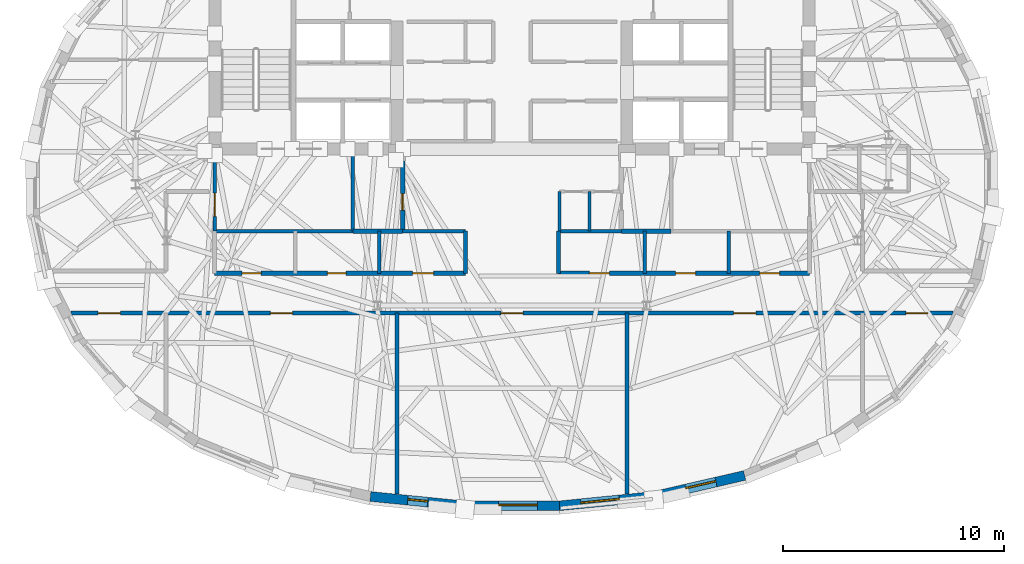
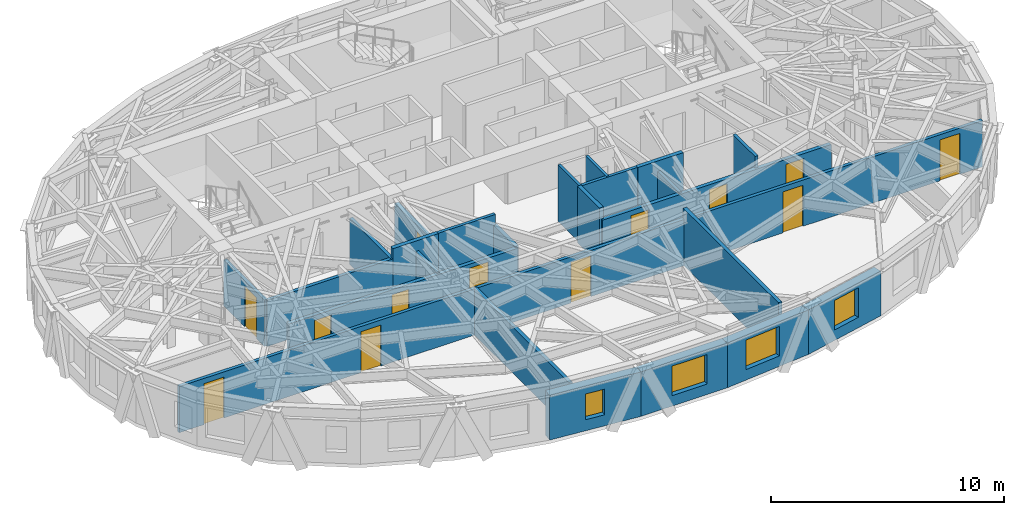
# One storey, part 6 of 13: 24 walls, 13 doors, 4 windows, 17 openings.
"""IFC4 building model written with IfcOpenShell, lengths in metres."""

from ifc_helpers import new_model, si_unit, direction, frame, frame_2d, origin, place, context, subcontext, project, spatial, rectangle, extrude, material, layer, layer_set, type_object, element, fill, save


model = new_model("IFC4")

# Units and contexts
model_context = context("Model", 3, precision=1e-05, world=origin(), true_north=direction((0.0, 1.0)))
body_context = subcontext(model_context, "Body", "Model", "MODEL_VIEW")
ifc_project = project(units=[si_unit("LENGTHUNIT", "METRE"), si_unit("AREAUNIT", "SQUARE_METRE"), si_unit("VOLUMEUNIT", "CUBIC_METRE"), si_unit("PLANEANGLEUNIT", "RADIAN"), si_unit("MASSUNIT", "GRAM", prefix="KILO")], contexts=[model_context])

# Site, building, storey
site_placement = place(None, origin())
site = spatial("IfcSite", under=ifc_project, at=site_placement, CompositionType="ELEMENT")
building_placement = place(site_placement, origin())
building = spatial("IfcBuilding", under=site, at=building_placement, Name="Keldmark Tower", CompositionType="ELEMENT")
storey_placement = place(building_placement, frame((0.0, 0.0, 241.5)))
storey = spatial("IfcBuildingStorey", under=building, at=storey_placement, Name="L68", CompositionType="ELEMENT", Elevation=241.5)

# Walls
ifc_material_1 = material(Name="STC-58 Insulated Tenant Demising Gypsum Partition", Category="gypsum")
ifc_layer_1 = layer(ifc_material_1, 0.175048828125)
ifc_layer_set_1 = layer_set([ifc_layer_1], Name="STC-58 Insulated Tenant Demising Gypsum Partition")
wall_type_1 = type_object("IfcWallType", Name="Demising Suite Partition 175 mm", PredefinedType="PARTITIONING", material=ifc_layer_set_1)
wall_1_placement = place(storey_placement, frame((-5.199951171875, -14.036376953125, 0.0), z_axis=(0.0, 0.0, 1.0), x_axis=(0.0, 1.0, 0.0)))
element("IfcWall", 1, at=wall_1_placement, inside=storey, type_object=wall_type_1, Name="L68 Demising Suite Partition 175 mm RS-ODIV-1", PredefinedType="PARTITIONING", context=body_context, shape_type="SweptSolid", body=[
    extrude(rectangle(XDim=8.186279296875, YDim=0.175048828125, at=frame_2d((4.09326171875, 0.0))), origin(), (0.0, 0.0, 1.0), 2.423095703125),
])
wall_2_placement = place(storey_placement, frame((5.199951171875, -14.036376953125, 0.0), z_axis=(0.0, 0.0, 1.0), x_axis=(0.0, 1.0, 0.0)))
element("IfcWall", 2, at=wall_2_placement, inside=storey, type_object=wall_type_1, Name="L68 Demising Suite Partition 175 mm RS-ODIV-2", PredefinedType="PARTITIONING", context=body_context, shape_type="SweptSolid", body=[
    extrude(rectangle(XDim=8.186279296875, YDim=0.175048828125, at=frame_2d((4.09326171875, 0.0))), origin(), (0.0, 0.0, 1.0), 2.969970703125),
])

# Wall, openings, doors
ifc_material_2 = material(Name="Heavy Acoustic Plumbing Chase Gypsum Assembly", Category="gypsum")
ifc_layer_2 = layer(ifc_material_2, 0.18994140625)
ifc_layer_set_2 = layer_set([ifc_layer_2], Name="Heavy Acoustic Plumbing Chase Gypsum Assembly")
wall_type_2 = type_object("IfcWallType", Name="Heavy Wet Wall 190 mm", PredefinedType="PLUMBINGWALL", material=ifc_layer_set_2)
wall_3_placement = place(storey_placement, frame((-13.449951171875, -4.050048828125, 0.0), z_axis=(0.0, 0.0, 1.0), x_axis=(1.0, 0.0, 0.0)))
wall_3 = element("IfcWall", 3, at=wall_3_placement, inside=storey, type_object=wall_type_2, Name="L68 Heavy Wet Wall 190 mm SPK-W-S", PredefinedType="PLUMBINGWALL", context=body_context, shape_type="SweptSolid", body=[
    extrude(rectangle(XDim=11.349853515625, YDim=0.18994140625, at=frame_2d((5.6748046875, 0.0))), origin(), (0.0, 0.0, 1.0), 2.35693359375),
])
opening_1_placement = place(wall_3_placement, frame((1.25, 0.0, 0.0)))
opening_1 = element("IfcOpeningElement", 4, at=opening_1_placement, cuts=wall_3, Name="Opening D-WC085", PredefinedType="OPENING", context=body_context, shape_type="SweptSolid", body=[
    extrude(rectangle(XDim=0.85009765625, YDim=2.10009765625, at=frame_2d((0.425048828125, 1.050048828125))), frame((0.0, 0.10498046875, 0.0), z_axis=(0.0, -1.0, 0.0), x_axis=(1.0, 0.0, 0.0)), (0.0, 0.0, 1.0), 0.2099609375),
])
opening_2_placement = place(wall_3_placement, frame((5.10009765625, 0.0, 0.0)))
opening_2 = element("IfcOpeningElement", 5, at=opening_2_placement, cuts=wall_3, Name="Opening D-WC085", PredefinedType="OPENING", context=body_context, shape_type="SweptSolid", body=[
    extrude(rectangle(XDim=0.85009765625, YDim=2.10009765625, at=frame_2d((0.425048828125, 1.050048828125))), frame((0.0, 0.10498046875, 0.0), z_axis=(0.0, -1.0, 0.0), x_axis=(1.0, 0.0, 0.0)), (0.0, 0.0, 1.0), 0.2099609375),
])
opening_3_placement = place(wall_3_placement, frame((8.949951171875, 0.0, 0.0)))
opening_3 = element("IfcOpeningElement", 6, at=opening_3_placement, cuts=wall_3, Name="Opening D-AWC95", PredefinedType="OPENING", context=body_context, shape_type="SweptSolid", body=[
    extrude(rectangle(XDim=0.949951171875, YDim=2.14990234375, at=frame_2d((0.47509765625, 1.074951171875))), frame((0.0, 0.10498046875, 0.0), z_axis=(0.0, -1.0, 0.0), x_axis=(1.0, 0.0, 0.0)), (0.0, 0.0, 1.0), 0.2099609375),
])
ifc_material_3 = material(Name="Painted Solid-Core Architectural Wood", Category="wood")
door_type_1 = type_object("IfcDoorType", Name="Accessible WC Door 950x2150", OperationType="NOTDEFINED", PredefinedType="DOOR", material=ifc_material_3)
door_1_placement = place(opening_3_placement, origin())
door_1 = element("IfcDoor", 7, at=door_1_placement, inside=storey, type_object=door_type_1, Name="L68 Accessible WC Door 950x2150 D-SPKW3-L68", OperationType="SINGLE_SWING_LEFT", OverallHeight=2.14990234375, OverallWidth=0.949951171875, PredefinedType="DOOR", context=body_context, shape_type="SweptSolid", body=[
    extrude(rectangle(XDim=0.949951171875, YDim=2.14990234375, at=frame_2d((0.47509765625, 1.074951171875))), frame((0.0, 0.02490234375, 0.0), z_axis=(0.0, -1.0, 0.0), x_axis=(1.0, 0.0, 0.0)), (0.0, 0.0, 1.0), 0.050048828125),
])
fill(opening_3, door_1)
ifc_material_4 = material(Name="Moisture-Sealed Painted Wood", Category="wood")
door_type_2 = type_object("IfcDoorType", Name="WC Door 850x2100", OperationType="NOTDEFINED", PredefinedType="DOOR", material=ifc_material_4)
door_2_placement = place(opening_1_placement, origin())
door_2 = element("IfcDoor", 8, at=door_2_placement, inside=storey, type_object=door_type_2, Name="L68 WC Door 850x2100 D-SPKW1-L68", OperationType="SINGLE_SWING_LEFT", OverallHeight=2.10009765625, OverallWidth=0.85009765625, PredefinedType="DOOR", context=body_context, shape_type="SweptSolid", body=[
    extrude(rectangle(XDim=0.85009765625, YDim=2.10009765625, at=frame_2d((0.425048828125, 1.050048828125))), frame((0.0, 0.02490234375, 0.0), z_axis=(0.0, -1.0, 0.0), x_axis=(1.0, 0.0, 0.0)), (0.0, 0.0, 1.0), 0.050048828125),
])
fill(opening_1, door_2)
door_3_placement = place(opening_2_placement, origin())
door_3 = element("IfcDoor", 9, at=door_3_placement, inside=storey, type_object=door_type_2, Name="L68 WC Door 850x2100 D-SPKW2-L68", OperationType="SINGLE_SWING_RIGHT", OverallHeight=2.10009765625, OverallWidth=0.85009765625, PredefinedType="DOOR", context=body_context, shape_type="SweptSolid", body=[
    extrude(rectangle(XDim=0.85009765625, YDim=2.10009765625, at=frame_2d((0.425048828125, 1.050048828125))), frame((0.0, 0.02490234375, 0.0), z_axis=(0.0, -1.0, 0.0), x_axis=(1.0, 0.0, 0.0)), (0.0, 0.0, 1.0), 0.050048828125),
])
fill(opening_2, door_3)

# Wall
wall_4_placement = place(storey_placement, frame((-2.10009765625, -4.050048828125, 0.0), z_axis=(0.0, 0.0, 1.0), x_axis=(0.0, 1.0, 0.0)))
element("IfcWall", 10, at=wall_4_placement, inside=storey, type_object=wall_type_2, Name="L68 Heavy Wet Wall 190 mm SPK-W-E", PredefinedType="PLUMBINGWALL", context=body_context, shape_type="SweptSolid", body=[
    extrude(rectangle(XDim=1.900146484375, YDim=0.18994140625, at=frame_2d((0.9501953125, 0.0))), origin(), (0.0, 0.0, 1.0), 2.423095703125),
])

# Wall, openings, doors
wall_5_placement = place(storey_placement, frame((2.10009765625, -4.050048828125, 0.0), z_axis=(0.0, 0.0, 1.0), x_axis=(1.0, 0.0, 0.0)))
wall_5 = element("IfcWall", 11, at=wall_5_placement, inside=storey, type_object=wall_type_2, Name="L68 Heavy Wet Wall 190 mm SPK-E-S", PredefinedType="PLUMBINGWALL", context=body_context, shape_type="SweptSolid", body=[
    extrude(rectangle(XDim=11.349853515625, YDim=0.18994140625, at=frame_2d((5.6748046875, 0.0))), origin(), (0.0, 0.0, 1.0), 2.35693359375),
])
opening_4_placement = place(wall_5_placement, frame((1.39990234375, 0.0, 0.0)))
opening_4 = element("IfcOpeningElement", 12, at=opening_4_placement, cuts=wall_5, Name="Opening D-IN090", PredefinedType="OPENING", context=body_context, shape_type="SweptSolid", body=[
    extrude(rectangle(XDim=0.89990234375, YDim=2.10009765625, at=frame_2d((0.449951171875, 1.050048828125))), frame((0.0, 0.10498046875, 0.0), z_axis=(0.0, -1.0, 0.0), x_axis=(1.0, 0.0, 0.0)), (0.0, 0.0, 1.0), 0.2099609375),
])
opening_5_placement = place(wall_5_placement, frame((5.300048828125, 0.0, 0.0)))
opening_5 = element("IfcOpeningElement", 13, at=opening_5_placement, cuts=wall_5, Name="Opening D-IN090", PredefinedType="OPENING", context=body_context, shape_type="SweptSolid", body=[
    extrude(rectangle(XDim=0.89990234375, YDim=2.10009765625, at=frame_2d((0.449951171875, 1.050048828125))), frame((0.0, 0.10498046875, 0.0), z_axis=(0.0, -1.0, 0.0), x_axis=(1.0, 0.0, 0.0)), (0.0, 0.0, 1.0), 0.2099609375),
])
opening_6_placement = place(wall_5_placement, frame((9.10009765625, 0.0, 0.0)))
opening_6 = element("IfcOpeningElement", 14, at=opening_6_placement, cuts=wall_5, Name="Opening D-IN090", PredefinedType="OPENING", context=body_context, shape_type="SweptSolid", body=[
    extrude(rectangle(XDim=0.89990234375, YDim=2.10009765625, at=frame_2d((0.449951171875, 1.050048828125))), frame((0.0, 0.10498046875, 0.0), z_axis=(0.0, -1.0, 0.0), x_axis=(1.0, 0.0, 0.0)), (0.0, 0.0, 1.0), 0.2099609375),
])
ifc_material_5 = material(Name="Stained American White Oak Veneer", Category="wood")
door_type_3 = type_object("IfcDoorType", Name="Interior Door 900x2100", OperationType="NOTDEFINED", PredefinedType="DOOR", material=ifc_material_5)
door_4_placement = place(opening_4_placement, origin())
door_4 = element("IfcDoor", 15, at=door_4_placement, inside=storey, type_object=door_type_3, Name="L68 Interior Door 900x2100 D-SPKE1-L68", OperationType="SINGLE_SWING_RIGHT", OverallHeight=2.10009765625, OverallWidth=0.89990234375, PredefinedType="DOOR", context=body_context, shape_type="SweptSolid", body=[
    extrude(rectangle(XDim=0.89990234375, YDim=2.10009765625, at=frame_2d((0.449951171875, 1.050048828125))), frame((0.0, 0.02490234375, 0.0), z_axis=(0.0, -1.0, 0.0), x_axis=(1.0, 0.0, 0.0)), (0.0, 0.0, 1.0), 0.050048828125),
])
fill(opening_4, door_4)
door_5_placement = place(opening_5_placement, origin())
door_5 = element("IfcDoor", 16, at=door_5_placement, inside=storey, type_object=door_type_3, Name="L68 Interior Door 900x2100 D-SPKE2-L68", OperationType="SINGLE_SWING_LEFT", OverallHeight=2.10009765625, OverallWidth=0.89990234375, PredefinedType="DOOR", context=body_context, shape_type="SweptSolid", body=[
    extrude(rectangle(XDim=0.89990234375, YDim=2.10009765625, at=frame_2d((0.449951171875, 1.050048828125))), frame((0.0, 0.02490234375, 0.0), z_axis=(0.0, -1.0, 0.0), x_axis=(1.0, 0.0, 0.0)), (0.0, 0.0, 1.0), 0.050048828125),
])
fill(opening_5, door_5)
door_6_placement = place(opening_6_placement, origin())
door_6 = element("IfcDoor", 17, at=door_6_placement, inside=storey, type_object=door_type_3, Name="L68 Interior Door 900x2100 D-SPKE3-L68", OperationType="SINGLE_SWING_RIGHT", OverallHeight=2.10009765625, OverallWidth=0.89990234375, PredefinedType="DOOR", context=body_context, shape_type="SweptSolid", body=[
    extrude(rectangle(XDim=0.89990234375, YDim=2.10009765625, at=frame_2d((0.449951171875, 1.050048828125))), frame((0.0, 0.02490234375, 0.0), z_axis=(0.0, -1.0, 0.0), x_axis=(1.0, 0.0, 0.0)), (0.0, 0.0, 1.0), 0.050048828125),
])
fill(opening_6, door_6)

# Walls
wall_6_placement = place(storey_placement, frame((2.10009765625, -4.050048828125, 0.0), z_axis=(0.0, 0.0, 1.0), x_axis=(0.0, 1.0, 0.0)))
element("IfcWall", 18, at=wall_6_placement, inside=storey, type_object=wall_type_2, Name="L68 Heavy Wet Wall 190 mm SPK-E-W", PredefinedType="PLUMBINGWALL", context=body_context, shape_type="SweptSolid", body=[
    extrude(rectangle(XDim=1.900146484375, YDim=0.18994140625, at=frame_2d((0.9501953125, 0.0))), origin(), (0.0, 0.0, 1.0), 2.969970703125),
])
ifc_material_6 = material(Name="Acoustic Gypsum Board Interior Partition", Category="gypsum")
ifc_layer_3 = layer(ifc_material_6, 0.1298828125)
ifc_layer_set_3 = layer_set([ifc_layer_3], Name="Acoustic Gypsum Board Interior Partition")
wall_type_3 = type_object("IfcWallType", Name="Interior Partition 130 mm", PredefinedType="PARTITIONING", material=ifc_layer_set_3)
for number, where, z_axis, x_axis, name in (
    (19, (2.14990234375, -2.14990234375, 0.0), (0.0, 0.0, 1.0), (0.0, 1.0, 0.0), "L68 Interior Partition 130 mm CSC-E-W"),
    (20, (3.5, -2.14990234375, 0.0), (0.0, 0.0, 1.0), (0.0, 1.0, 0.0), "L68 Interior Partition 130 mm CSC-E-M"),
):
    element("IfcWall", number, at=place(storey_placement, frame(where, z_axis=z_axis, x_axis=x_axis)), inside=storey, type_object=wall_type_3, Name=name, PredefinedType="PARTITIONING", context=body_context, shape_type="SweptSolid", body=[
        extrude(rectangle(XDim=1.7998046875, YDim=0.1298828125, at=frame_2d((0.89990234375, 0.0))), origin(), (0.0, 0.0, 1.0), 2.969970703125),
    ])
ifc_material_7 = material(Name="Type X Fire-Rated Gypsum Partition Assembly", Category="gypsum")
ifc_layer_4 = layer(ifc_material_7, 0.1650390625)
ifc_layer_set_4 = layer_set([ifc_layer_4], Name="Type X Fire-Rated Gypsum Partition Assembly")
wall_type_4 = type_object("IfcWallType", Name="Rated Partition 165 mm", PredefinedType="PARTITIONING", material=ifc_layer_set_4)
wall_7_placement = place(storey_placement, frame((-13.449951171875, -2.14990234375, 0.0), z_axis=(0.0, 0.0, 1.0), x_axis=(1.0, 0.0, 0.0)))
element("IfcWall", 21, at=wall_7_placement, inside=storey, type_object=wall_type_4, Name="L68 Rated Partition 165 mm FSAE-W-S", PredefinedType="PARTITIONING", context=body_context, shape_type="SweptSolid", body=[
    extrude(rectangle(XDim=6.25, YDim=0.1650390625, at=frame_2d((3.125, 0.0))), origin(), (0.0, 0.0, 1.0), 2.423095703125),
])

# Wall, opening, door
wall_8_placement = place(storey_placement, frame((-13.449951171875, -2.14990234375, 0.0), z_axis=(0.0, 0.0, 1.0), x_axis=(0.0, 1.0, 0.0)))
wall_8 = element("IfcWall", 22, at=wall_8_placement, inside=storey, type_object=wall_type_4, Name="L68 Rated Partition 165 mm FSAE-W-W", PredefinedType="PARTITIONING", context=body_context, shape_type="SweptSolid", body=[
    extrude(rectangle(XDim=3.5, YDim=0.1650390625, at=frame_2d((1.75, 0.0))), origin(), (0.0, 0.0, 1.0), 2.423095703125),
])
opening_7_placement = place(wall_8_placement, frame((0.669921875, 0.0, 0.0)))
opening_7 = element("IfcOpeningElement", 23, at=opening_7_placement, cuts=wall_8, Name="Opening D-FL105", PredefinedType="OPENING", context=body_context, shape_type="SweptSolid", body=[
    extrude(rectangle(XDim=1.050048828125, YDim=2.14990234375, at=frame_2d((0.52490234375, 1.074951171875))), frame((0.0, 0.092529296875, 0.0), z_axis=(0.0, -1.0, 0.0), x_axis=(1.0, 0.0, 0.0)), (0.0, 0.0, 1.0), 0.18505859375),
])
ifc_material_8 = material(Name="Fire-Rated Mineral-Core Door and Vision Lite", Category="metal")
door_type_4 = type_object("IfcDoorType", Name="Fire Lobby Door 1050x2150", OperationType="NOTDEFINED", PredefinedType="DOOR", material=ifc_material_8)
door_7_placement = place(opening_7_placement, origin())
door_7 = element("IfcDoor", 24, at=door_7_placement, inside=storey, type_object=door_type_4, Name="L68 Fire Lobby Door 1050x2150 D-FSAEW-OUT-L68", OperationType="SINGLE_SWING_RIGHT", OverallHeight=2.14990234375, OverallWidth=1.050048828125, PredefinedType="DOOR", context=body_context, shape_type="SweptSolid", body=[
    extrude(rectangle(XDim=1.050048828125, YDim=2.14990234375, at=frame_2d((0.52490234375, 1.074951171875))), frame((0.0, 0.02490234375, 0.0), z_axis=(0.0, -1.0, 0.0), x_axis=(1.0, 0.0, 0.0)), (0.0, 0.0, 1.0), 0.050048828125),
])
fill(opening_7, door_7)

# Wall
wall_9_placement = place(storey_placement, frame((-7.199951171875, -2.14990234375, 0.0), z_axis=(0.0, 0.0, 1.0), x_axis=(0.0, 1.0, 0.0)))
element("IfcWall", 25, at=wall_9_placement, inside=storey, type_object=wall_type_4, Name="L68 Rated Partition 165 mm FSAE-W-E", PredefinedType="PARTITIONING", context=body_context, shape_type="SweptSolid", body=[
    extrude(rectangle(XDim=3.5, YDim=0.1650390625, at=frame_2d((1.75, 0.0))), origin(), (0.0, 0.0, 1.0), 2.423095703125),
])

# Wall, openings, doors
wall_10_placement = place(storey_placement, frame((-19.9345703125, -5.85009765625, 0.0), z_axis=(0.0, 0.0, 1.0), x_axis=(1.0, 0.0, 0.0)))
wall_10 = element("IfcWall", 26, at=wall_10_placement, inside=storey, type_object=wall_type_4, Name="L68 Rated Partition 165 mm RCOR-S", PredefinedType="PARTITIONING", context=body_context, shape_type="SweptSolid", body=[
    extrude(rectangle(XDim=39.869140625, YDim=0.1650390625, at=frame_2d((19.9345703125, 0.0))), origin(), (0.0, 0.0, 1.0), 2.423095703125),
])
opening_8_placement = place(wall_10_placement, frame((1.220947265625, 0.0, 0.0)))
opening_8 = element("IfcOpeningElement", 27, at=opening_8_placement, cuts=wall_10, Name="Opening D-FD100", PredefinedType="OPENING", context=body_context, shape_type="SweptSolid", body=[
    extrude(rectangle(XDim=1.0, YDim=2.14990234375, at=frame_2d((0.5, 1.074951171875))), frame((0.0, 0.092529296875, 0.0), z_axis=(0.0, -1.0, 0.0), x_axis=(1.0, 0.0, 0.0)), (0.0, 0.0, 1.0), 0.18505859375),
])
opening_9_placement = place(wall_10_placement, frame((37.747802734375, 0.0, 0.0)))
opening_9 = element("IfcOpeningElement", 28, at=opening_9_placement, cuts=wall_10, Name="Opening D-FD100", PredefinedType="OPENING", context=body_context, shape_type="SweptSolid", body=[
    extrude(rectangle(XDim=1.0, YDim=2.14990234375, at=frame_2d((0.5, 1.074951171875))), frame((0.0, 0.092529296875, 0.0), z_axis=(0.0, -1.0, 0.0), x_axis=(1.0, 0.0, 0.0)), (0.0, 0.0, 1.0), 0.18505859375),
])
opening_10_placement = place(wall_10_placement, frame((9.010009765625, 0.0, 0.0)))
opening_10 = element("IfcOpeningElement", 29, at=opening_10_placement, cuts=wall_10, Name="Opening D-FD100", PredefinedType="OPENING", context=body_context, shape_type="SweptSolid", body=[
    extrude(rectangle(XDim=1.0, YDim=2.14990234375, at=frame_2d((0.5, 1.074951171875))), frame((0.0, 0.092529296875, 0.0), z_axis=(0.0, -1.0, 0.0), x_axis=(1.0, 0.0, 0.0)), (0.0, 0.0, 1.0), 0.18505859375),
])
opening_11_placement = place(wall_10_placement, frame((19.434814453125, 0.0, 0.0)))
opening_11 = element("IfcOpeningElement", 30, at=opening_11_placement, cuts=wall_10, Name="Opening D-FD100", PredefinedType="OPENING", context=body_context, shape_type="SweptSolid", body=[
    extrude(rectangle(XDim=1.0, YDim=2.14990234375, at=frame_2d((0.5, 1.074951171875))), frame((0.0, 0.092529296875, 0.0), z_axis=(0.0, -1.0, 0.0), x_axis=(1.0, 0.0, 0.0)), (0.0, 0.0, 1.0), 0.18505859375),
])
opening_12_placement = place(wall_10_placement, frame((29.9599609375, 0.0, 0.0)))
opening_12 = element("IfcOpeningElement", 31, at=opening_12_placement, cuts=wall_10, Name="Opening D-FD100", PredefinedType="OPENING", context=body_context, shape_type="SweptSolid", body=[
    extrude(rectangle(XDim=1.0, YDim=2.14990234375, at=frame_2d((0.5, 1.074951171875))), frame((0.0, 0.092529296875, 0.0), z_axis=(0.0, -1.0, 0.0), x_axis=(1.0, 0.0, 0.0)), (0.0, 0.0, 1.0), 0.18505859375),
])
ifc_material_9 = material(Name="Hollow Metal Fire-Rated Corridor Door", Category="metal")
door_type_5 = type_object("IfcDoorType", Name="Fire Door 1000x2150", OperationType="NOTDEFINED", PredefinedType="DOOR", material=ifc_material_9)
door_8_placement = place(opening_8_placement, origin())
door_8 = element("IfcDoor", 32, at=door_8_placement, inside=storey, type_object=door_type_5, Name="L68 Fire Door 1000x2150 D-RSCW-L68", OperationType="SINGLE_SWING_LEFT", OverallHeight=2.14990234375, OverallWidth=1.0, PredefinedType="DOOR", context=body_context, shape_type="SweptSolid", body=[
    extrude(rectangle(XDim=1.0, YDim=2.14990234375, at=frame_2d((0.5, 1.074951171875))), frame((0.0, 0.02490234375, 0.0), z_axis=(0.0, -1.0, 0.0), x_axis=(1.0, 0.0, 0.0)), (0.0, 0.0, 1.0), 0.050048828125),
])
fill(opening_8, door_8)
door_9_placement = place(opening_9_placement, origin())
door_9 = element("IfcDoor", 33, at=door_9_placement, inside=storey, type_object=door_type_5, Name="L68 Fire Door 1000x2150 D-RSCE-L68", OperationType="SINGLE_SWING_LEFT", OverallHeight=2.14990234375, OverallWidth=1.0, PredefinedType="DOOR", context=body_context, shape_type="SweptSolid", body=[
    extrude(rectangle(XDim=1.0, YDim=2.14990234375, at=frame_2d((0.5, 1.074951171875))), frame((0.0, 0.02490234375, 0.0), z_axis=(0.0, -1.0, 0.0), x_axis=(1.0, 0.0, 0.0)), (0.0, 0.0, 1.0), 0.050048828125),
])
fill(opening_9, door_9)
door_10_placement = place(opening_10_placement, origin())
door_10 = element("IfcDoor", 34, at=door_10_placement, inside=storey, type_object=door_type_5, Name="L68 Fire Door 1000x2150 D-RSOF-1-L68", OperationType="SINGLE_SWING_RIGHT", OverallHeight=2.14990234375, OverallWidth=1.0, PredefinedType="DOOR", context=body_context, shape_type="SweptSolid", body=[
    extrude(rectangle(XDim=1.0, YDim=2.14990234375, at=frame_2d((0.5, 1.074951171875))), frame((0.0, 0.02490234375, 0.0), z_axis=(0.0, -1.0, 0.0), x_axis=(1.0, 0.0, 0.0)), (0.0, 0.0, 1.0), 0.050048828125),
])
fill(opening_10, door_10)
door_11_placement = place(opening_11_placement, origin())
door_11 = element("IfcDoor", 35, at=door_11_placement, inside=storey, type_object=door_type_5, Name="L68 Fire Door 1000x2150 D-RSOF-2-L68", OperationType="SINGLE_SWING_LEFT", OverallHeight=2.14990234375, OverallWidth=1.0, PredefinedType="DOOR", context=body_context, shape_type="SweptSolid", body=[
    extrude(rectangle(XDim=1.0, YDim=2.14990234375, at=frame_2d((0.5, 1.074951171875))), frame((0.0, 0.02490234375, 0.0), z_axis=(0.0, -1.0, 0.0), x_axis=(1.0, 0.0, 0.0)), (0.0, 0.0, 1.0), 0.050048828125),
])
fill(opening_11, door_11)
door_12_placement = place(opening_12_placement, origin())
door_12 = element("IfcDoor", 36, at=door_12_placement, inside=storey, type_object=door_type_5, Name="L68 Fire Door 1000x2150 D-RSOF-3-L68", OperationType="SINGLE_SWING_RIGHT", OverallHeight=2.14990234375, OverallWidth=1.0, PredefinedType="DOOR", context=body_context, shape_type="SweptSolid", body=[
    extrude(rectangle(XDim=1.0, YDim=2.14990234375, at=frame_2d((0.5, 1.074951171875))), frame((0.0, 0.02490234375, 0.0), z_axis=(0.0, -1.0, 0.0), x_axis=(1.0, 0.0, 0.0)), (0.0, 0.0, 1.0), 0.050048828125),
])
fill(opening_12, door_12)

# Wall
ifc_material_10 = material(Name="Fire-Resistant Type X Gypsum Shaftliner Coreboard", Category="gypsum")
ifc_layer_5 = layer(ifc_material_10, 0.199951171875)
ifc_layer_set_5 = layer_set([ifc_layer_5], Name="Fire-Resistant Type X Gypsum Shaftliner Coreboard")
wall_type_5 = type_object("IfcWallType", Name="Shaft Wall 200 mm", PredefinedType="SOLIDWALL", material=ifc_layer_set_5)
wall_11_placement = place(storey_placement, frame((-7.199951171875, -2.14990234375, 0.0), z_axis=(0.0, 0.0, 1.0), x_axis=(1.0, 0.0, 0.0)))
element("IfcWall", 37, at=wall_11_placement, inside=storey, type_object=wall_type_5, Name="L68 Shaft Wall 200 mm RIS-SW-S", PredefinedType="SOLIDWALL", context=body_context, shape_type="SweptSolid", body=[
    extrude(rectangle(XDim=2.25, YDim=0.199951171875, at=frame_2d((1.125, 0.0))), origin(), (0.0, 0.0, 1.0), 2.969970703125),
])

# Wall, opening, door
wall_12_placement = place(storey_placement, frame((-4.949951171875, -2.14990234375, 0.0), z_axis=(0.0, 0.0, 1.0), x_axis=(0.0, 1.0, 0.0)))
wall_12 = element("IfcWall", 38, at=wall_12_placement, inside=storey, type_object=wall_type_5, Name="L68 Shaft Wall 200 mm RIS-SW-E", PredefinedType="SOLIDWALL", context=body_context, shape_type="SweptSolid", body=[
    extrude(rectangle(XDim=3.5, YDim=0.199951171875, at=frame_2d((1.75, 0.0))), origin(), (0.0, 0.0, 1.0), 2.423095703125),
])
opening_13_placement = place(wall_12_placement, frame((0.949951171875, 0.0, 0.0)))
opening_13 = element("IfcOpeningElement", 39, at=opening_13_placement, cuts=wall_12, Name="Opening D-RS075", PredefinedType="OPENING", context=body_context, shape_type="SweptSolid", body=[
    extrude(rectangle(XDim=0.75, YDim=2.10009765625, at=frame_2d((0.375, 1.050048828125))), frame((0.0, 0.10986328125, 0.0), z_axis=(0.0, -1.0, 0.0), x_axis=(1.0, 0.0, 0.0)), (0.0, 0.0, 1.0), 0.219970703125),
])
ifc_material_11 = material(Name="Galvanized Fire-Rated Access Leaf", Category="metal")
door_type_6 = type_object("IfcDoorType", Name="Riser Access Door 750x2100", OperationType="NOTDEFINED", PredefinedType="DOOR", material=ifc_material_11)
door_13_placement = place(opening_13_placement, origin())
door_13 = element("IfcDoor", 40, at=door_13_placement, inside=storey, type_object=door_type_6, Name="L68 Riser Access Door 750x2100 D-RISSW-L68", OperationType="SINGLE_SWING_RIGHT", OverallHeight=2.10009765625, OverallWidth=0.75, PredefinedType="DOOR", context=body_context, shape_type="SweptSolid", body=[
    extrude(rectangle(XDim=0.75, YDim=2.10009765625, at=frame_2d((0.375, 1.050048828125))), frame((0.0, 0.02490234375, 0.0), z_axis=(0.0, -1.0, 0.0), x_axis=(1.0, 0.0, 0.0)), (0.0, 0.0, 1.0), 0.050048828125),
])
fill(opening_13, door_13)

# Wall
wall_13_placement = place(storey_placement, frame((4.949951171875, -2.14990234375, 0.0), z_axis=(0.0, 0.0, 1.0), x_axis=(1.0, 0.0, 0.0)))
element("IfcWall", 41, at=wall_13_placement, inside=storey, type_object=wall_type_5, Name="L68 Shaft Wall 200 mm RIS-SE-S", PredefinedType="SOLIDWALL", context=body_context, shape_type="SweptSolid", body=[
    extrude(rectangle(XDim=2.25, YDim=0.199951171875, at=frame_2d((1.125, 0.0))), origin(), (0.0, 0.0, 1.0), 2.969970703125),
])

# Wall, opening, window
ifc_material_12 = material(Name="Ironspot Manganese Brick and Kasota Buff Limestone Spandrel Assembly", Category="masonry")
ifc_layer_6 = layer(ifc_material_12, 0.43994140625)
ifc_layer_set_6 = layer_set([ifc_layer_6], Name="Ironspot Manganese Brick and Kasota Buff Limestone Spandrel Assembly")
wall_type_6 = type_object("IfcWallType", Name="Tower Brick Pier and Spandrel Wall 440 mm", PredefinedType="STANDARD", material=ifc_layer_set_6)
wall_14_placement = place(storey_placement, frame((-2.126220703125, -14.56982421875, 0.0), z_axis=(0.0, 0.0, 1.0), x_axis=(-0.995134540264, 0.098525361068, 0.0)))
wall_14 = element("IfcWall", 42, at=wall_14_placement, inside=storey, type_object=wall_type_6, Name="L68 Exterior Brick and Spandrel Wall 23", PredefinedType="STANDARD", context=body_context, shape_type="SweptSolid", body=[
    extrude(rectangle(XDim=4.29931640625, YDim=0.43994140625, at=frame_2d((2.149658203125, 0.0))), origin(), (0.0, 0.0, 1.0), 2.3359375),
])
opening_14_placement = place(wall_14_placement, frame((1.69970703125, 0.0, 0.580078125)))
opening_14 = element("IfcOpeningElement", 43, at=opening_14_placement, cuts=wall_14, Name="Opening W-09", PredefinedType="OPENING", context=body_context, shape_type="SweptSolid", body=[
    extrude(rectangle(XDim=0.89990234375, YDim=1.35009765625, at=frame_2d((0.449951171875, 0.675048828125))), frame((0.0, 0.22998046875, 0.0), z_axis=(0.0, -1.0, 0.0), x_axis=(1.0, 0.0, 0.0)), (0.0, 0.0, 1.0), 0.4599609375),
])
ifc_material_13 = material(Name="Thermally Broken Anodized Aluminum and Triple Low-E Argon Glazing", Category="aluminium")
window_type_1 = type_object("IfcWindowType", Name="Corner Pier Deep-Set Window 900x1350", PartitioningType="SINGLE_PANEL", PredefinedType="WINDOW", material=ifc_material_13)
window_1_placement = place(opening_14_placement, origin())
window_1 = element("IfcWindow", 44, at=window_1_placement, inside=storey, type_object=window_type_1, Name="L68 Deep-Set Window 23", OverallHeight=1.35009765625, OverallWidth=0.89990234375, PartitioningType="SINGLE_PANEL", PredefinedType="WINDOW", context=body_context, shape_type="SweptSolid", body=[
    extrude(rectangle(XDim=0.89990234375, YDim=1.35009765625, at=frame_2d((0.449951171875, 0.675048828125))), frame((0.0, -0.010009765625, 0.0), z_axis=(0.0, -1.0, 0.0), x_axis=(1.0, 0.0, 0.0)), (0.0, 0.0, 1.0), 0.06005859375),
])
fill(opening_14, window_1)

wall_15_placement = place(storey_placement, frame((2.14794921875, -14.56884765625, 0.0), z_axis=(0.0, 0.0, 1.0), x_axis=(-1.0, 0.0, 0.0)))
wall_15 = element("IfcWall", 45, at=wall_15_placement, inside=storey, type_object=wall_type_6, Name="L68 Exterior Brick and Spandrel Wall 24", PredefinedType="STANDARD", context=body_context, shape_type="SweptSolid", body=[
    extrude(rectangle(XDim=4.2958984375, YDim=0.43994140625, at=frame_2d((2.14794921875, 0.0))), origin(), (0.0, 0.0, 1.0), 2.3359375),
])
opening_15_placement = place(wall_15_placement, frame((0.99853515625, 0.0, 0.550048828125)))
opening_15 = element("IfcOpeningElement", 46, at=opening_15_placement, cuts=wall_15, Name="Opening W-05", PredefinedType="OPENING", context=body_context, shape_type="SweptSolid", body=[
    extrude(rectangle(XDim=1.75, YDim=1.550048828125, at=frame_2d((0.875, 0.77490234375))), frame((0.0, 0.22998046875, 0.0), z_axis=(0.0, -1.0, 0.0), x_axis=(1.0, 0.0, 0.0)), (0.0, 0.0, 1.0), 0.4599609375),
])
ifc_material_14 = material(Name="Thermally Broken Anodized Aluminum and Triple Low-E Argon Glazing", Category="aluminium")
window_type_2 = type_object("IfcWindowType", Name="Residential Deep-Set Window 1750x1550", PartitioningType="DOUBLE_PANEL_VERTICAL", PredefinedType="WINDOW", material=ifc_material_14)
window_2_placement = place(opening_15_placement, origin())
window_2 = element("IfcWindow", 47, at=window_2_placement, inside=storey, type_object=window_type_2, Name="L68 Deep-Set Window 24", OverallHeight=1.550048828125, OverallWidth=1.75, PartitioningType="SINGLE_PANEL", PredefinedType="WINDOW", context=body_context, shape_type="SweptSolid", body=[
    extrude(rectangle(XDim=1.75, YDim=1.550048828125, at=frame_2d((0.875, 0.77490234375))), frame((0.0, -0.010009765625, 0.0), z_axis=(0.0, -1.0, 0.0), x_axis=(1.0, 0.0, 0.0)), (0.0, 0.0, 1.0), 0.06005859375),
])
fill(opening_15, window_2)

wall_16_placement = place(storey_placement, frame((6.404541015625, -14.146240234375, 0.0), z_axis=(0.0, 0.0, 1.0), x_axis=(-0.995134540264, -0.098525361068, 0.0)))
wall_16 = element("IfcWall", 48, at=wall_16_placement, inside=storey, type_object=wall_type_6, Name="L68 Exterior Brick and Spandrel Wall 25", PredefinedType="STANDARD", context=body_context, shape_type="SweptSolid", body=[
    extrude(rectangle(XDim=4.29931640625, YDim=0.43994140625, at=frame_2d((2.149658203125, 0.0))), origin(), (0.0, 0.0, 1.0), 2.3359375),
])
opening_16_placement = place(wall_16_placement, frame((1.549560546875, 0.0, 0.550048828125)))
opening_16 = element("IfcOpeningElement", 49, at=opening_16_placement, cuts=wall_16, Name="Opening W-05", PredefinedType="OPENING", context=body_context, shape_type="SweptSolid", body=[
    extrude(rectangle(XDim=1.75, YDim=1.550048828125, at=frame_2d((0.875, 0.77490234375))), frame((0.0, 0.22998046875, 0.0), z_axis=(0.0, -1.0, 0.0), x_axis=(1.0, 0.0, 0.0)), (0.0, 0.0, 1.0), 0.4599609375),
])
window_3_placement = place(opening_16_placement, origin())
window_3 = element("IfcWindow", 50, at=window_3_placement, inside=storey, type_object=window_type_2, Name="L68 Deep-Set Window 25", OverallHeight=1.550048828125, OverallWidth=1.75, PartitioningType="SINGLE_PANEL", PredefinedType="WINDOW", context=body_context, shape_type="SweptSolid", body=[
    extrude(rectangle(XDim=1.75, YDim=1.550048828125, at=frame_2d((0.875, 0.77490234375))), frame((0.0, -0.010009765625, 0.0), z_axis=(0.0, -1.0, 0.0), x_axis=(1.0, 0.0, 0.0)), (0.0, 0.0, 1.0), 0.06005859375),
])
fill(opening_16, window_3)

wall_17_placement = place(storey_placement, frame((10.520263671875, -13.194580078125, 0.0), z_axis=(0.0, 0.0, 1.0), x_axis=(-0.974398936081, -0.224825962391, 0.0)))
wall_17 = element("IfcWall", 51, at=wall_17_placement, inside=storey, type_object=wall_type_6, Name="L68 Exterior Brick and Spandrel Wall 26", PredefinedType="STANDARD", context=body_context, shape_type="SweptSolid", body=[
    extrude(rectangle(XDim=4.25244140625, YDim=0.43994140625, at=frame_2d((2.126220703125, 0.0))), origin(), (0.0, 0.0, 1.0), 2.3359375),
])
opening_17_placement = place(wall_17_placement, frame((1.328125, 0.0, 0.550048828125)))
opening_17 = element("IfcOpeningElement", 52, at=opening_17_placement, cuts=wall_17, Name="Opening W-08", PredefinedType="OPENING", context=body_context, shape_type="SweptSolid", body=[
    extrude(rectangle(XDim=1.39990234375, YDim=1.550048828125, at=frame_2d((0.699951171875, 0.77490234375))), frame((0.0, 0.22998046875, 0.0), z_axis=(0.0, -1.0, 0.0), x_axis=(1.0, 0.0, 0.0)), (0.0, 0.0, 1.0), 0.4599609375),
])
ifc_material_15 = material(Name="Thermally Broken Anodized Aluminum and Triple Low-E Argon Glazing", Category="aluminium")
window_type_3 = type_object("IfcWindowType", Name="Residential Corner Punched Window 1400x1550", PartitioningType="SINGLE_PANEL", PredefinedType="WINDOW", material=ifc_material_15)
window_4_placement = place(opening_17_placement, origin())
window_4 = element("IfcWindow", 53, at=window_4_placement, inside=storey, type_object=window_type_3, Name="L68 Deep-Set Window 26", OverallHeight=1.550048828125, OverallWidth=1.39990234375, PartitioningType="SINGLE_PANEL", PredefinedType="WINDOW", context=body_context, shape_type="SweptSolid", body=[
    extrude(rectangle(XDim=1.39990234375, YDim=1.550048828125, at=frame_2d((0.699951171875, 0.77490234375))), frame((0.0, -0.010009765625, 0.0), z_axis=(0.0, -1.0, 0.0), x_axis=(1.0, 0.0, 0.0)), (0.0, 0.0, 1.0), 0.06005859375),
])
fill(opening_17, window_4)

# Walls
ifc_material_16 = material(Name="Moisture-Resistant Gypsum Plumbing Partition", Category="gypsum")
ifc_layer_7 = layer(ifc_material_16, 0.14990234375)
ifc_layer_set_7 = layer_set([ifc_layer_7], Name="Moisture-Resistant Gypsum Plumbing Partition")
wall_type_7 = type_object("IfcWallType", Name="Wet Wall 150 mm", PredefinedType="PLUMBINGWALL", material=ifc_layer_set_7)
wall_18_placement = place(storey_placement, frame((-4.949951171875, -2.14990234375, 0.0), z_axis=(0.0, 0.0, 1.0), x_axis=(1.0, 0.0, 0.0)))
element("IfcWall", 54, at=wall_18_placement, inside=storey, type_object=wall_type_7, Name="L68 Wet Wall 150 mm SPK-W-N", PredefinedType="PLUMBINGWALL", context=body_context, shape_type="SweptSolid", body=[
    extrude(rectangle(XDim=2.849853515625, YDim=0.14990234375, at=frame_2d((1.4248046875, 0.0))), origin(), (0.0, 0.0, 1.0), 2.969970703125),
])
wall_19_placement = place(storey_placement, frame((-6.0, -4.050048828125, 0.0), z_axis=(0.0, 0.0, 1.0), x_axis=(0.0, 1.0, 0.0)))
element("IfcWall", 55, at=wall_19_placement, inside=storey, type_object=wall_type_7, Name="L68 Wet Wall 150 mm SPK-W-D2", PredefinedType="PLUMBINGWALL", context=body_context, shape_type="SweptSolid", body=[
    extrude(rectangle(XDim=1.900146484375, YDim=0.14990234375, at=frame_2d((0.9501953125, 0.0))), origin(), (0.0, 0.0, 1.0), 2.430908203125),
])
wall_20_placement = place(storey_placement, frame((2.10009765625, -2.14990234375, 0.0), z_axis=(0.0, 0.0, 1.0), x_axis=(1.0, 0.0, 0.0)))
element("IfcWall", 56, at=wall_20_placement, inside=storey, type_object=wall_type_7, Name="L68 Wet Wall 150 mm SPK-E-N", PredefinedType="PLUMBINGWALL", context=body_context, shape_type="SweptSolid", body=[
    extrude(rectangle(XDim=2.849853515625, YDim=0.14990234375, at=frame_2d((1.4248046875, 0.0))), origin(), (0.0, 0.0, 1.0), 2.969970703125),
])
wall_21_placement = place(storey_placement, frame((6.0, -4.050048828125, 0.0), z_axis=(0.0, 0.0, 1.0), x_axis=(0.0, 1.0, 0.0)))
element("IfcWall", 57, at=wall_21_placement, inside=storey, type_object=wall_type_7, Name="L68 Wet Wall 150 mm SPK-E-D1", PredefinedType="PLUMBINGWALL", context=body_context, shape_type="SweptSolid", body=[
    extrude(rectangle(XDim=1.900146484375, YDim=0.14990234375, at=frame_2d((0.9501953125, 0.0))), origin(), (0.0, 0.0, 1.0), 2.430908203125),
])
wall_22_placement = place(storey_placement, frame((9.800048828125, -4.050048828125, 0.0), z_axis=(0.0, 0.0, 1.0), x_axis=(0.0, 1.0, 0.0)))
element("IfcWall", 58, at=wall_22_placement, inside=storey, type_object=wall_type_7, Name="L68 Wet Wall 150 mm SPK-E-D2", PredefinedType="PLUMBINGWALL", context=body_context, shape_type="SweptSolid", body=[
    extrude(rectangle(XDim=1.900146484375, YDim=0.14990234375, at=frame_2d((0.9501953125, 0.0))), origin(), (0.0, 0.0, 1.0), 2.969970703125),
])

save(model, "model.ifc")
